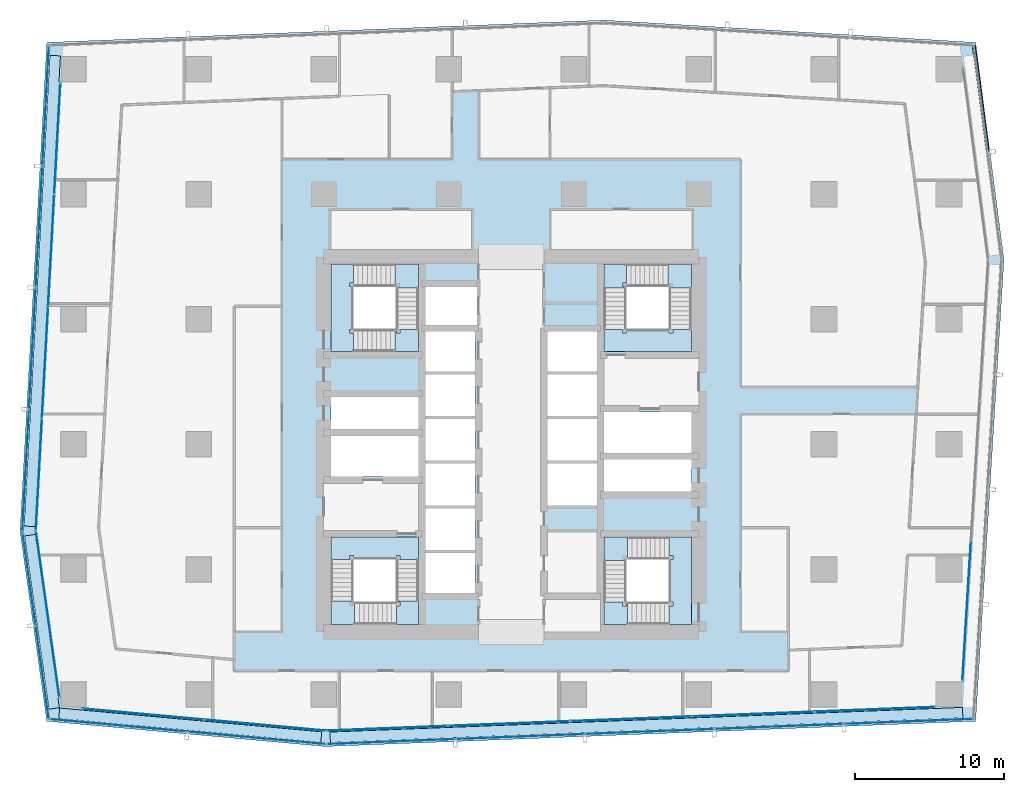
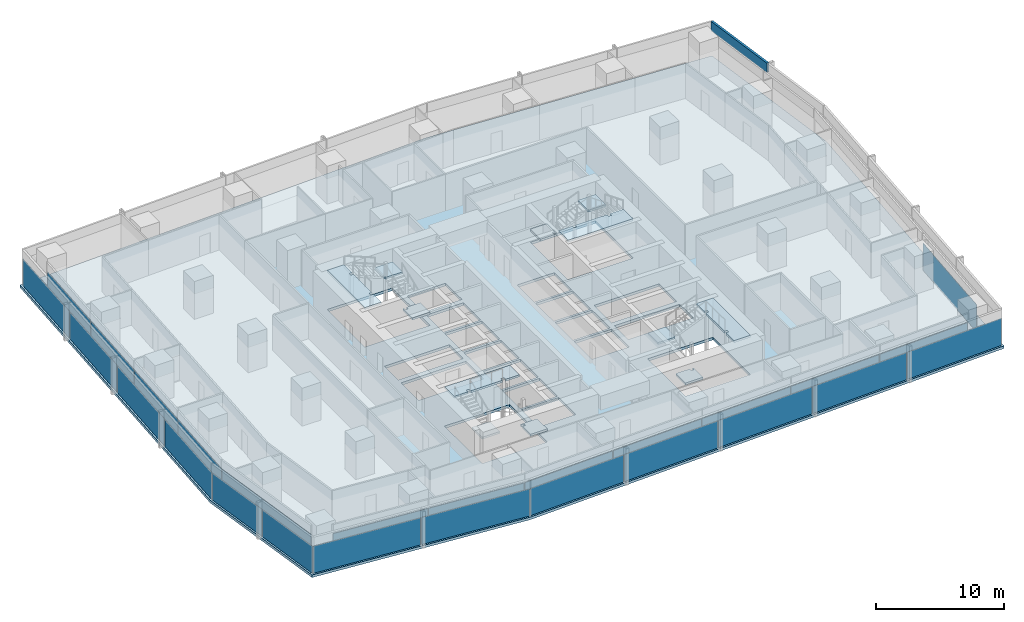
# One storey, part 27 of 40: 30 plates, 13 slabs, 1 member, 14 elements without a shape of their own.
"""IFC4 building model written with IfcOpenShell, lengths in metres."""

from ifc_helpers import new_model, si_unit, direction, frame, origin, origin_2d, place, context, subcontext, project, spatial, polyline, rectangle, hollow_rectangle, outline, extrude, material, layer, layer_set, material_profile, profile_set, type_object, element, aggregate, save


model = new_model("IFC4")

# Units and contexts
model_context = context("Model", 3, precision=1e-05, world=origin(), true_north=direction((0.0, 1.0)))
body_context = subcontext(model_context, "Body", "Model", "MODEL_VIEW")
ifc_project = project(units=[si_unit("LENGTHUNIT", "METRE"), si_unit("AREAUNIT", "SQUARE_METRE"), si_unit("VOLUMEUNIT", "CUBIC_METRE"), si_unit("PLANEANGLEUNIT", "RADIAN"), si_unit("MASSUNIT", "GRAM", prefix="KILO")], contexts=[model_context])

# Site, building, storey
site_placement = place(None, origin())
site = spatial("IfcSite", under=ifc_project, at=site_placement, CompositionType="ELEMENT")
building_placement = place(site_placement, origin())
building = spatial("IfcBuilding", under=site, at=building_placement, Name="Rekha Terrace Tower", CompositionType="ELEMENT")
storey_placement = place(building_placement, frame((0.0, 0.0, 121.550048828125)))
storey = spatial("IfcBuildingStorey", under=building, at=storey_placement, Name="L30", CompositionType="ELEMENT", Elevation=121.550048828125)

# Curtain wall, member
ifc_material_1 = material(Name="Aluminium framing", Category="aluminium")
curtain_wall_type_1 = type_object("IfcCurtainWallType", Name="CW2 double skin outer glazing", PredefinedType="USERDEFINED", material=ifc_material_1)
curtain_wall_1_placement = place(storey_placement, origin())
curtain_wall_1 = element("IfcCurtainWall", 1, at=curtain_wall_1_placement, inside=storey, type_object=curtain_wall_type_1, Name="CW2 double skin outer glazing", ObjectType="DOUBLE SKIN OUTER GLAZING", PredefinedType="USERDEFINED")
ifc_material_2 = material(Name="Insulated aluminium spandrel box", Category="aluminium")
ifc_material_profile = material_profile(ifc_material_2, hollow_rectangle(XDim=0.199951171875, YDim=0.89990234375, WallThickness=0.0029296875, at=origin_2d()), Name="AL SPANDREL BOX 200x900")
ifc_profile_set = profile_set([ifc_material_profile], Name="Insulated aluminium spandrel box")
member_type = type_object("IfcMemberType", Name="CW2 spandrel transom 200 x 900", PredefinedType="USERDEFINED", material=ifc_profile_set)
member_placement = place(storey_placement, frame((69.793701171875, 53.26513671875, 3.050048828125), z_axis=(-0.12912937971, 0.9916277544, 0.0), x_axis=(-0.9916277544, -0.12912937971, 0.0)))
member = element("IfcMember", 2, at=member_placement, type_object=member_type, Name="CW2 spandrel transom 2", ObjectType="TRANSOM", PredefinedType="USERDEFINED", context=body_context, shape_type="SweptSolid", body=[
    extrude(hollow_rectangle(XDim=0.199951171875, YDim=0.89990234375, WallThickness=0.0029296875, at=origin_2d()), origin(), (0.0, 0.0, 1.0), 7.163818359375),
])
aggregate(curtain_wall_1, [member])

# Curtain wall, plates
curtain_wall_type_2 = type_object("IfcCurtainWallType", Name="CW1 double skin inner glazing", PredefinedType="USERDEFINED", material=ifc_material_1)
curtain_wall_2_placement = place(storey_placement, origin())
curtain_wall_2 = element("IfcCurtainWall", 3, at=curtain_wall_2_placement, inside=storey, type_object=curtain_wall_type_2, Name="CW1 double skin inner glazing", ObjectType="DOUBLE SKIN INNER GLAZING", PredefinedType="USERDEFINED")
ifc_material_3 = material(Name="Double-glazed low-e unit 32", Category="glass")
ifc_layer_1 = layer(ifc_material_3, 0.031982421875)
ifc_layer_set_1 = layer_set([ifc_layer_1], Name="Double-glazed low-e unit 32")
plate_type_1 = type_object("IfcPlateType", Name="CW1 jumbo vision panel, double-glazed low-e unit 32", PredefinedType="CURTAIN_PANEL", material=ifc_layer_set_1)
plate_1_placement = place(storey_placement, frame((13.0439453125, 15.479248046875, 0.0), z_axis=(0.0, 0.0, 1.0), x_axis=(0.995901923142, -0.090439811381, 0.0)))
plate_1 = element("IfcPlate", 4, at=plate_1_placement, type_object=plate_type_1, Name="CW1 panel 1.1", PredefinedType="CURTAIN_PANEL", context=body_context, shape_type="SweptSolid", body=[
    extrude(rectangle(XDim=8.1494140625, YDim=0.031982421875, at=origin_2d()), origin(), (0.0, 0.0, 1.0), 2.60009765625),
])
plate_2_placement = place(storey_placement, frame((21.257080078125, 14.7333984375, 0.0), z_axis=(0.0, 0.0, 1.0), x_axis=(0.995901923142, -0.090439811381, 0.0)))
plate_2 = element("IfcPlate", 5, at=plate_2_placement, type_object=plate_type_1, Name="CW1 panel 2.1", PredefinedType="CURTAIN_PANEL", context=body_context, shape_type="SweptSolid", body=[
    extrude(rectangle(XDim=8.214599609375, YDim=0.031982421875, at=origin_2d()), origin(), (0.0, 0.0, 1.0), 2.60009765625),
])
aggregate(curtain_wall_2, [plate_1, plate_2])

curtain_wall_3_placement = place(storey_placement, origin())
curtain_wall_3 = element("IfcCurtainWall", 6, at=curtain_wall_3_placement, inside=storey, type_object=curtain_wall_type_2, Name="CW1 double skin inner glazing", ObjectType="DOUBLE SKIN INNER GLAZING", PredefinedType="USERDEFINED")
plate_3_placement = place(storey_placement, frame((29.4619140625, 14.52197265625, 0.0), z_axis=(0.0, 0.0, 1.0), x_axis=(0.999243498917, 0.038889971345, 0.0)))
plate_3 = element("IfcPlate", 7, at=plate_3_placement, type_object=plate_type_1, Name="CW1 panel 1.1", PredefinedType="CURTAIN_PANEL", context=body_context, shape_type="SweptSolid", body=[
    extrude(rectangle(XDim=8.105224609375, YDim=0.031982421875, at=origin_2d()), origin(), (0.0, 0.0, 1.0), 2.60009765625),
])
plate_4_placement = place(storey_placement, frame((37.64208984375, 14.84033203125, 0.0), z_axis=(0.0, 0.0, 1.0), x_axis=(0.999243498917, 0.038889971345, 0.0)))
plate_4 = element("IfcPlate", 8, at=plate_4_placement, type_object=plate_type_1, Name="CW1 panel 2.1", PredefinedType="CURTAIN_PANEL", context=body_context, shape_type="SweptSolid", body=[
    extrude(rectangle(XDim=8.1376953125, YDim=0.031982421875, at=origin_2d()), origin(), (0.0, 0.0, 1.0), 2.60009765625),
])
plate_5_placement = place(storey_placement, frame((45.838623046875, 15.159423828125, 0.0), z_axis=(0.0, 0.0, 1.0), x_axis=(0.999243498917, 0.038889971345, 0.0)))
plate_5 = element("IfcPlate", 9, at=plate_5_placement, type_object=plate_type_1, Name="CW1 panel 3.1", PredefinedType="CURTAIN_PANEL", context=body_context, shape_type="SweptSolid", body=[
    extrude(rectangle(XDim=8.1376953125, YDim=0.031982421875, at=origin_2d()), origin(), (0.0, 0.0, 1.0), 2.60009765625),
])
plate_6_placement = place(storey_placement, frame((54.034912109375, 15.478271484375, 0.0), z_axis=(0.0, 0.0, 1.0), x_axis=(0.999243498917, 0.038889971345, 0.0)))
plate_6 = element("IfcPlate", 10, at=plate_6_placement, type_object=plate_type_1, Name="CW1 panel 4.1", PredefinedType="CURTAIN_PANEL", context=body_context, shape_type="SweptSolid", body=[
    extrude(rectangle(XDim=8.1376953125, YDim=0.031982421875, at=origin_2d()), origin(), (0.0, 0.0, 1.0), 2.60009765625),
])
plate_7_placement = place(storey_placement, frame((62.21533203125, 15.796630859375, 0.0), z_axis=(0.0, 0.0, 1.0), x_axis=(0.999243498917, 0.038889971345, 0.0)))
plate_7 = element("IfcPlate", 11, at=plate_7_placement, type_object=plate_type_1, Name="CW1 panel 5.1", PredefinedType="CURTAIN_PANEL", context=body_context, shape_type="SweptSolid", body=[
    extrude(rectangle(XDim=8.105224609375, YDim=0.031982421875, at=origin_2d()), origin(), (0.0, 0.0, 1.0), 2.60009765625),
])
aggregate(curtain_wall_3, [plate_3, plate_4, plate_5, plate_6, plate_7])

# Curtain wall, plate
curtain_wall_4_placement = place(storey_placement, origin())
curtain_wall_4 = element("IfcCurtainWall", 12, at=curtain_wall_4_placement, inside=storey, type_object=curtain_wall_type_2, Name="CW1 double skin inner glazing", ObjectType="DOUBLE SKIN INNER GLAZING", PredefinedType="USERDEFINED")
plate_8_placement = place(storey_placement, frame((68.391357421875, 22.400634765625, 0.0), z_axis=(0.0, 0.0, 1.0), x_axis=(0.061159803131, 0.998127987024, 0.0)))
plate_8 = element("IfcPlate", 13, at=plate_8_placement, type_object=plate_type_1, Name="CW1 panel 1.1", PredefinedType="CURTAIN_PANEL", context=body_context, shape_type="SweptSolid", body=[
    extrude(rectangle(XDim=9.355224609375, YDim=0.031982421875, at=origin_2d()), origin(), (0.0, 0.0, 1.0), 2.60009765625),
])
aggregate(curtain_wall_4, [plate_8])

# Curtain wall, plates
curtain_wall_5_placement = place(storey_placement, origin())
curtain_wall_5 = element("IfcCurtainWall", 14, at=curtain_wall_5_placement, inside=storey, type_object=curtain_wall_type_2, Name="CW1 double skin inner glazing", ObjectType="DOUBLE SKIN INNER GLAZING", PredefinedType="USERDEFINED")
plate_9_placement = place(storey_placement, frame((7.30810546875, 54.15087890625, 0.0), z_axis=(0.0, 0.0, 1.0), x_axis=(-0.054742352707, -0.99850051318, 0.0)))
plate_9 = element("IfcPlate", 15, at=plate_9_placement, type_object=plate_type_1, Name="CW1 panel 1.1", PredefinedType="CURTAIN_PANEL", context=body_context, shape_type="SweptSolid", body=[
    extrude(rectangle(XDim=7.443359375, YDim=0.031982421875, at=origin_2d()), origin(), (0.0, 0.0, 1.0), 2.60009765625),
])
plate_10_placement = place(storey_placement, frame((6.89599609375, 46.637451171875, 0.0), z_axis=(0.0, 0.0, 1.0), x_axis=(-0.054742352707, -0.99850051318, 0.0)))
plate_10 = element("IfcPlate", 16, at=plate_10_placement, type_object=plate_type_1, Name="CW1 panel 2.1", PredefinedType="CURTAIN_PANEL", context=body_context, shape_type="SweptSolid", body=[
    extrude(rectangle(XDim=7.475830078125, YDim=0.031982421875, at=origin_2d()), origin(), (0.0, 0.0, 1.0), 2.60009765625),
])
plate_11_placement = place(storey_placement, frame((6.4833984375, 39.10791015625, 0.0), z_axis=(0.0, 0.0, 1.0), x_axis=(-0.054742352707, -0.99850051318, 0.0)))
plate_11 = element("IfcPlate", 17, at=plate_11_placement, type_object=plate_type_1, Name="CW1 panel 3.1", PredefinedType="CURTAIN_PANEL", context=body_context, shape_type="SweptSolid", body=[
    extrude(rectangle(XDim=7.475830078125, YDim=0.031982421875, at=origin_2d()), origin(), (0.0, 0.0, 1.0), 2.60009765625),
])
plate_12_placement = place(storey_placement, frame((6.069580078125, 31.56201171875, 0.0), z_axis=(0.0, 0.0, 1.0), x_axis=(-0.054742352707, -0.99850051318, 0.0)))
plate_12 = element("IfcPlate", 18, at=plate_12_placement, type_object=plate_type_1, Name="CW1 panel 4.1", PredefinedType="CURTAIN_PANEL", context=body_context, shape_type="SweptSolid", body=[
    extrude(rectangle(XDim=7.508544921875, YDim=0.031982421875, at=origin_2d()), origin(), (0.0, 0.0, 1.0), 2.60009765625),
])
aggregate(curtain_wall_5, [plate_9, plate_10, plate_11, plate_12])

# Curtain wall, plate
curtain_wall_6_placement = place(storey_placement, origin())
curtain_wall_6 = element("IfcCurtainWall", 19, at=curtain_wall_6_placement, inside=storey, type_object=curtain_wall_type_2, Name="CW1 double skin inner glazing", ObjectType="DOUBLE SKIN INNER GLAZING", PredefinedType="USERDEFINED")
plate_13_placement = place(storey_placement, frame((6.65869140625, 22.177490234375, 0.0), z_axis=(0.0, 0.0, 1.0), x_axis=(0.139597048082, -0.990208394312, 0.0)))
plate_13 = element("IfcPlate", 20, at=plate_13_placement, type_object=plate_type_1, Name="CW1 panel 1.1", PredefinedType="CURTAIN_PANEL", context=body_context, shape_type="SweptSolid", body=[
    extrude(rectangle(XDim=11.253173828125, YDim=0.031982421875, at=origin_2d()), origin(), (0.0, 0.0, 1.0), 2.60009765625),
])
aggregate(curtain_wall_6, [plate_13])

# Curtain wall, plates
curtain_wall_7_placement = place(storey_placement, origin())
curtain_wall_7 = element("IfcCurtainWall", 21, at=curtain_wall_7_placement, inside=storey, type_object=curtain_wall_type_1, Name="CW2 double skin outer glazing", ObjectType="DOUBLE SKIN OUTER GLAZING", PredefinedType="USERDEFINED")
ifc_material_4 = material(Name="Toughened single glazing 12", Category="glass")
ifc_layer_2 = layer(ifc_material_4, 0.011962890625)
ifc_layer_set_2 = layer_set([ifc_layer_2], Name="Toughened single glazing 12")
plate_type_2 = type_object("IfcPlateType", Name="CW2 jumbo vision panel, toughened single glazing 12", PredefinedType="CURTAIN_PANEL", material=ifc_layer_set_2)
plate_14_placement = place(storey_placement, frame((11.406494140625, 14.72412109375, 0.0), z_axis=(0.0, 0.0, 1.0), x_axis=(0.995901923137, -0.090439811433, 0.0)))
plate_14 = element("IfcPlate", 22, at=plate_14_placement, type_object=plate_type_2, Name="CW2 panel 1.1", PredefinedType="CURTAIN_PANEL", context=body_context, shape_type="SweptSolid", body=[
    extrude(rectangle(XDim=9.2099609375, YDim=0.011962890625, at=origin_2d()), origin(), (0.0, 0.0, 1.0), 2.60009765625),
])
plate_15_placement = place(storey_placement, frame((20.6982421875, 13.88037109375, 0.0), z_axis=(0.0, 0.0, 1.0), x_axis=(0.995901923137, -0.090439811433, 0.0)))
plate_15 = element("IfcPlate", 23, at=plate_15_placement, type_object=plate_type_2, Name="CW2 panel 2.1", PredefinedType="CURTAIN_PANEL", context=body_context, shape_type="SweptSolid", body=[
    extrude(rectangle(XDim=9.2900390625, YDim=0.011962890625, at=origin_2d()), origin(), (0.0, 0.0, 1.0), 2.60009765625),
])
aggregate(curtain_wall_7, [plate_14, plate_15])

curtain_wall_8_placement = place(storey_placement, origin())
curtain_wall_8 = element("IfcCurtainWall", 24, at=curtain_wall_8_placement, inside=storey, type_object=curtain_wall_type_1, Name="CW2 double skin outer glazing", ObjectType="DOUBLE SKIN OUTER GLAZING", PredefinedType="USERDEFINED")
plate_16_placement = place(storey_placement, frame((29.696533203125, 13.63037109375, 0.0), z_axis=(0.0, 0.0, 1.0), x_axis=(0.999243498917, 0.038889971345, 0.0)))
plate_16 = element("IfcPlate", 25, at=plate_16_placement, type_object=plate_type_2, Name="CW2 panel 1.1", PredefinedType="CURTAIN_PANEL", context=body_context, shape_type="SweptSolid", body=[
    extrude(rectangle(XDim=8.591552734375, YDim=0.011962890625, at=origin_2d()), origin(), (0.0, 0.0, 1.0), 2.60009765625),
])
plate_17_placement = place(storey_placement, frame((38.381591796875, 13.968505859375, 0.0), z_axis=(0.0, 0.0, 1.0), x_axis=(0.999243498917, 0.038889971345, 0.0)))
plate_17 = element("IfcPlate", 26, at=plate_17_placement, type_object=plate_type_2, Name="CW2 panel 2.1", PredefinedType="CURTAIN_PANEL", context=body_context, shape_type="SweptSolid", body=[
    extrude(rectangle(XDim=8.631591796875, YDim=0.011962890625, at=origin_2d()), origin(), (0.0, 0.0, 1.0), 2.60009765625),
])
plate_18_placement = place(storey_placement, frame((47.086669921875, 14.307373046875, 0.0), z_axis=(0.0, 0.0, 1.0), x_axis=(0.999243498917, 0.038889971345, 0.0)))
plate_18 = element("IfcPlate", 27, at=plate_18_placement, type_object=plate_type_2, Name="CW2 panel 3.1", PredefinedType="CURTAIN_PANEL", context=body_context, shape_type="SweptSolid", body=[
    extrude(rectangle(XDim=8.631591796875, YDim=0.011962890625, at=origin_2d()), origin(), (0.0, 0.0, 1.0), 2.60009765625),
])
plate_19_placement = place(storey_placement, frame((55.791748046875, 14.64599609375, 0.0), z_axis=(0.0, 0.0, 1.0), x_axis=(0.999243498917, 0.038889971345, 0.0)))
plate_19 = element("IfcPlate", 28, at=plate_19_placement, type_object=plate_type_2, Name="CW2 panel 4.1", PredefinedType="CURTAIN_PANEL", context=body_context, shape_type="SweptSolid", body=[
    extrude(rectangle(XDim=8.631591796875, YDim=0.011962890625, at=origin_2d()), origin(), (0.0, 0.0, 1.0), 2.60009765625),
])
plate_20_placement = place(storey_placement, frame((64.5166015625, 14.985595703125, 0.0), z_axis=(0.0, 0.0, 1.0), x_axis=(0.999243498917, 0.038889971345, 0.0)))
plate_20 = element("IfcPlate", 29, at=plate_20_placement, type_object=plate_type_2, Name="CW2 panel 5.1", PredefinedType="CURTAIN_PANEL", context=body_context, shape_type="SweptSolid", body=[
    extrude(rectangle(XDim=8.671630859375, YDim=0.011962890625, at=origin_2d()), origin(), (0.0, 0.0, 1.0), 2.60009765625),
])
aggregate(curtain_wall_8, [plate_16, plate_17, plate_18, plate_19, plate_20])

curtain_wall_9_placement = place(storey_placement, origin())
curtain_wall_9 = element("IfcCurtainWall", 30, at=curtain_wall_9_placement, inside=storey, type_object=curtain_wall_type_1, Name="CW2 double skin outer glazing", ObjectType="DOUBLE SKIN OUTER GLAZING", PredefinedType="USERDEFINED")
plate_21_placement = place(storey_placement, frame((6.52685546875, 56.342041015625, 0.0), z_axis=(0.0, 0.0, 1.0), x_axis=(-0.054742352707, -0.99850051318, 0.0)))
plate_21 = element("IfcPlate", 31, at=plate_21_placement, type_object=plate_type_2, Name="CW2 panel 1.1", PredefinedType="CURTAIN_PANEL", context=body_context, shape_type="SweptSolid", body=[
    extrude(rectangle(XDim=8.06005859375, YDim=0.011962890625, at=origin_2d()), origin(), (0.0, 0.0, 1.0), 2.60009765625),
])
plate_22_placement = place(storey_placement, frame((6.080078125, 48.1943359375, 0.0), z_axis=(0.0, 0.0, 1.0), x_axis=(-0.054742352707, -0.99850051318, 0.0)))
plate_22 = element("IfcPlate", 32, at=plate_22_placement, type_object=plate_type_2, Name="CW2 panel 2.1", PredefinedType="CURTAIN_PANEL", context=body_context, shape_type="SweptSolid", body=[
    extrude(rectangle(XDim=8.10009765625, YDim=0.011962890625, at=origin_2d()), origin(), (0.0, 0.0, 1.0), 2.60009765625),
])
plate_23_placement = place(storey_placement, frame((5.63232421875, 40.026611328125, 0.0), z_axis=(0.0, 0.0, 1.0), x_axis=(-0.054742352707, -0.99850051318, 0.0)))
plate_23 = element("IfcPlate", 33, at=plate_23_placement, type_object=plate_type_2, Name="CW2 panel 3.1", PredefinedType="CURTAIN_PANEL", context=body_context, shape_type="SweptSolid", body=[
    extrude(rectangle(XDim=8.10009765625, YDim=0.011962890625, at=origin_2d()), origin(), (0.0, 0.0, 1.0), 2.60009765625),
])
plate_24_placement = place(storey_placement, frame((5.183349609375, 31.8388671875, 0.0), z_axis=(0.0, 0.0, 1.0), x_axis=(-0.054742352707, -0.99850051318, 0.0)))
plate_24 = element("IfcPlate", 34, at=plate_24_placement, type_object=plate_type_2, Name="CW2 panel 4.1", PredefinedType="CURTAIN_PANEL", context=body_context, shape_type="SweptSolid", body=[
    extrude(rectangle(XDim=8.14013671875, YDim=0.011962890625, at=origin_2d()), origin(), (0.0, 0.0, 1.0), 2.60009765625),
])
aggregate(curtain_wall_9, [plate_21, plate_22, plate_23, plate_24])

curtain_wall_10_placement = place(storey_placement, origin())
curtain_wall_10 = element("IfcCurtainWall", 35, at=curtain_wall_10_placement, inside=storey, type_object=curtain_wall_type_1, Name="CW2 double skin outer glazing", ObjectType="DOUBLE SKIN OUTER GLAZING", PredefinedType="USERDEFINED")
plate_25_placement = place(storey_placement, frame((5.408447265625, 24.598388671875, 0.0), z_axis=(0.0, 0.0, 1.0), x_axis=(0.139597048082, -0.990208394312, 0.0)))
plate_25 = element("IfcPlate", 36, at=plate_25_placement, type_object=plate_type_2, Name="CW2 panel 1.1", PredefinedType="CURTAIN_PANEL", context=body_context, shape_type="SweptSolid", body=[
    extrude(rectangle(XDim=6.255859375, YDim=0.011962890625, at=origin_2d()), origin(), (0.0, 0.0, 1.0), 2.60009765625),
])
plate_26_placement = place(storey_placement, frame((6.298583984375, 18.284912109375, 0.0), z_axis=(0.0, 0.0, 1.0), x_axis=(0.139597048082, -0.990208394312, 0.0)))
plate_26 = element("IfcPlate", 37, at=plate_26_placement, type_object=plate_type_2, Name="CW2 panel 2.1", PredefinedType="CURTAIN_PANEL", context=body_context, shape_type="SweptSolid", body=[
    extrude(rectangle(XDim=6.3359375, YDim=0.011962890625, at=origin_2d()), origin(), (0.0, 0.0, 1.0), 2.60009765625),
])
aggregate(curtain_wall_10, [plate_25, plate_26])

# Plates
ifc_material_5 = material(Name="Galvanised steel open grating", Category="steel")
ifc_layer_3 = layer(ifc_material_5, 0.050048828125)
ifc_layer_set_3 = layer_set([ifc_layer_3], Name="Galvanised steel open grating")
plate_type_3 = type_object("IfcPlateType", Name="GT1 cavity walkway grating 50", PredefinedType="USERDEFINED", material=ifc_layer_set_3)
plate_27_placement = place(storey_placement, frame((16.236083984375, 14.737548828125, 0.0), z_axis=(0.0, 0.0, 1.0), x_axis=(0.99590192314, -0.090439811399, 0.0)))
element("IfcPlate", 38, at=plate_27_placement, inside=storey, type_object=plate_type_3, Name="Cavity walkway grating", ObjectType="CAVITY WALKWAY GRATING", PredefinedType="USERDEFINED", context=body_context, shape_type="SweptSolid", body=[
    extrude(rectangle(XDim=17.674072265625, YDim=0.705078125, at=origin_2d()), origin(), (0.0, 0.0, 1.0), 0.050048828125),
])
plate_28_placement = place(storey_placement, frame((46.88037109375, 14.74951171875, 0.0), z_axis=(0.0, 0.0, 1.0), x_axis=(0.999243498917, 0.038889971345, 0.0)))
element("IfcPlate", 39, at=plate_28_placement, inside=storey, type_object=plate_type_3, Name="Cavity walkway grating", ObjectType="CAVITY WALKWAY GRATING", PredefinedType="USERDEFINED", context=body_context, shape_type="SweptSolid", body=[
    extrude(rectangle(XDim=42.521728515625, YDim=0.705078125, at=origin_2d()), origin(), (0.0, 0.0, 1.0), 0.050048828125),
])
plate_29_placement = place(storey_placement, frame((6.295654296875, 43.9033203125, 0.0), z_axis=(0.0, 0.0, 1.0), x_axis=(-0.05474235269, -0.998500513181, 0.0)))
element("IfcPlate", 40, at=plate_29_placement, inside=storey, type_object=plate_type_3, Name="Cavity walkway grating", ObjectType="CAVITY WALKWAY GRATING", PredefinedType="USERDEFINED", context=body_context, shape_type="SweptSolid", body=[
    extrude(rectangle(XDim=31.6669921875, YDim=0.705078125, at=origin_2d()), origin(), (0.0, 0.0, 1.0), 0.050048828125),
])
plate_30_placement = place(storey_placement, frame((6.2744140625, 21.678955078125, 0.0), z_axis=(0.0, 0.0, 1.0), x_axis=(0.139597048064, -0.990208394315, 0.0)))
element("IfcPlate", 41, at=plate_30_placement, inside=storey, type_object=plate_type_3, Name="Cavity walkway grating", ObjectType="CAVITY WALKWAY GRATING", PredefinedType="USERDEFINED", context=body_context, shape_type="SweptSolid", body=[
    extrude(rectangle(XDim=11.751220703125, YDim=0.705078125, at=origin_2d()), origin(), (0.0, 0.0, 1.0), 0.050048828125),
])

# Stair, slabs
ifc_material_6 = material(Name="Concrete M40", Category="concrete")
stair_type = type_object("IfcStairType", Name="ST30 stair, 30 risers of 125, going 310, 1500 wide flights, 3 flights", PredefinedType="HALF_TURN_STAIR", material=ifc_material_6)
stair_1_placement = place(storey_placement, origin())
stair_1 = element("IfcStair", 42, at=stair_1_placement, inside=storey, type_object=stair_type, Name="Stair ST1 L30 to L31", PredefinedType="HALF_TURN_STAIR")
ifc_layer_4 = layer(ifc_material_6, 0.199951171875)
ifc_layer_set_4 = layer_set([ifc_layer_4], Name="Concrete M40")
slab_type_1 = type_object("IfcSlabType", Name="LD1 200 concrete stair landing", PredefinedType="LANDING", material=ifc_layer_set_4)
slab_1_placement = place(storey_placement, frame((0.0, 0.0, 1.050048828125)))
slab_1 = element("IfcSlab", 43, at=slab_1_placement, type_object=slab_type_1, Name="ST1 landing 1", PredefinedType="LANDING", context=body_context, shape_type="SweptSolid", body=[
    extrude(outline(polyline([(30.074951171875, 21.5), (31.574951171875, 21.5), (31.574951171875, 23.0849609375), (30.074951171875, 23.0849609375), (30.074951171875, 23.0), (30.324951171875, 23.0), (30.324951171875, 22.75), (30.074951171875, 22.75), (30.074951171875, 21.5)])), origin(), (0.0, 0.0, 1.0), 0.199951171875),
])
slab_2_placement = place(storey_placement, frame((0.0, 0.0, 2.300048828125)))
slab_2 = element("IfcSlab", 44, at=slab_2_placement, type_object=slab_type_1, Name="ST1 landing 2", PredefinedType="LANDING", context=body_context, shape_type="SweptSolid", body=[
    extrude(outline(polyline([(27.199951171875, 23.0849609375), (25.699951171875, 23.0849609375), (25.699951171875, 21.5), (27.284912109375, 21.5), (27.284912109375, 23.0), (27.199951171875, 23.0), (27.199951171875, 23.0849609375)])), origin(), (0.0, 0.0, 1.0), 0.199951171875),
])
slab_3_placement = place(storey_placement, frame((0.0, 0.0, 3.550048828125)))
slab_3 = element("IfcSlab", 45, at=slab_3_placement, type_object=slab_type_1, Name="ST1 landing 3", PredefinedType="LANDING", context=body_context, shape_type="SweptSolid", body=[
    extrude(outline(polyline([(31.574951171875, 25.875), (31.574951171875, 27.375), (25.699951171875, 27.375), (25.699951171875, 25.875), (26.949951171875, 25.875), (26.949951171875, 26.125), (27.199951171875, 26.125), (27.199951171875, 25.875), (30.074951171875, 25.875), (30.074951171875, 26.125), (30.324951171875, 26.125), (30.324951171875, 25.875), (31.574951171875, 25.875)])), origin(), (0.0, 0.0, 1.0), 0.199951171875),
])
aggregate(stair_1, [slab_1, slab_2, slab_3])

stair_2_placement = place(storey_placement, origin())
stair_2 = element("IfcStair", 46, at=stair_2_placement, inside=storey, type_object=stair_type, Name="Stair ST2 L30 to L31", PredefinedType="HALF_TURN_STAIR")
slab_4_placement = place(storey_placement, frame((0.0, 0.0, 1.050048828125)))
slab_4 = element("IfcSlab", 47, at=slab_4_placement, type_object=slab_type_1, Name="ST2 landing 1", PredefinedType="LANDING", context=body_context, shape_type="SweptSolid", body=[
    extrude(outline(polyline([(45.52490234375, 45.699951171875), (44.02490234375, 45.699951171875), (44.02490234375, 44.114990234375), (45.52490234375, 44.114990234375), (45.52490234375, 44.199951171875), (45.27490234375, 44.199951171875), (45.27490234375, 44.449951171875), (45.52490234375, 44.449951171875), (45.52490234375, 45.699951171875)])), origin(), (0.0, 0.0, 1.0), 0.199951171875),
])
slab_5_placement = place(storey_placement, frame((0.0, 0.0, 2.300048828125)))
slab_5 = element("IfcSlab", 48, at=slab_5_placement, type_object=slab_type_1, Name="ST2 landing 2", PredefinedType="LANDING", context=body_context, shape_type="SweptSolid", body=[
    extrude(outline(polyline([(48.39990234375, 44.114990234375), (49.89990234375, 44.114990234375), (49.89990234375, 45.699951171875), (48.31494140625, 45.699951171875), (48.31494140625, 44.199951171875), (48.39990234375, 44.199951171875), (48.39990234375, 44.114990234375)])), origin(), (0.0, 0.0, 1.0), 0.199951171875),
])
slab_6_placement = place(storey_placement, frame((0.0, 0.0, 3.550048828125)))
slab_6 = element("IfcSlab", 49, at=slab_6_placement, type_object=slab_type_1, Name="ST2 landing 3", PredefinedType="LANDING", context=body_context, shape_type="SweptSolid", body=[
    extrude(outline(polyline([(44.02490234375, 41.324951171875), (44.02490234375, 39.824951171875), (49.89990234375, 39.824951171875), (49.89990234375, 41.324951171875), (48.64990234375, 41.324951171875), (48.64990234375, 41.074951171875), (48.39990234375, 41.074951171875), (48.39990234375, 41.324951171875), (45.52490234375, 41.324951171875), (45.52490234375, 41.074951171875), (45.27490234375, 41.074951171875), (45.27490234375, 41.324951171875), (44.02490234375, 41.324951171875)])), origin(), (0.0, 0.0, 1.0), 0.199951171875),
])
aggregate(stair_2, [slab_4, slab_5, slab_6])

stair_3_placement = place(storey_placement, origin())
stair_3 = element("IfcStair", 50, at=stair_3_placement, inside=storey, type_object=stair_type, Name="Stair ST3 L30 to L31", PredefinedType="HALF_TURN_STAIR")
slab_7_placement = place(storey_placement, frame((0.0, 0.0, 1.050048828125)))
slab_7 = element("IfcSlab", 51, at=slab_7_placement, type_object=slab_type_1, Name="ST3 landing 1", PredefinedType="LANDING", context=body_context, shape_type="SweptSolid", body=[
    extrude(outline(polyline([(44.02490234375, 23.0), (44.02490234375, 21.5), (45.610107421875, 21.5), (45.610107421875, 23.0), (45.52490234375, 23.0), (45.52490234375, 22.75), (45.27490234375, 22.75), (45.27490234375, 23.0), (44.02490234375, 23.0)])), origin(), (0.0, 0.0, 1.0), 0.199951171875),
])
slab_8_placement = place(storey_placement, frame((0.0, 0.0, 2.300048828125)))
slab_8 = element("IfcSlab", 52, at=slab_8_placement, type_object=slab_type_1, Name="ST3 landing 2", PredefinedType="LANDING", context=body_context, shape_type="SweptSolid", body=[
    extrude(outline(polyline([(45.610107421875, 25.875), (45.610107421875, 27.375), (44.02490234375, 27.375), (44.02490234375, 25.7900390625), (45.52490234375, 25.7900390625), (45.52490234375, 25.875), (45.610107421875, 25.875)])), origin(), (0.0, 0.0, 1.0), 0.199951171875),
])
slab_9_placement = place(storey_placement, frame((0.0, 0.0, 3.550048828125)))
slab_9 = element("IfcSlab", 53, at=slab_9_placement, type_object=slab_type_1, Name="ST3 landing 3", PredefinedType="LANDING", context=body_context, shape_type="SweptSolid", body=[
    extrude(outline(polyline([(48.39990234375, 21.5), (49.89990234375, 21.5), (49.89990234375, 27.375), (48.39990234375, 27.375), (48.39990234375, 26.125), (48.64990234375, 26.125), (48.64990234375, 25.875), (48.39990234375, 25.875), (48.39990234375, 23.0), (48.64990234375, 23.0), (48.64990234375, 22.75), (48.39990234375, 22.75), (48.39990234375, 21.5)])), origin(), (0.0, 0.0, 1.0), 0.199951171875),
])
aggregate(stair_3, [slab_7, slab_8, slab_9])

stair_4_placement = place(storey_placement, origin())
stair_4 = element("IfcStair", 54, at=stair_4_placement, inside=storey, type_object=stair_type, Name="Stair ST4 L30 to L31", PredefinedType="HALF_TURN_STAIR")
slab_10_placement = place(storey_placement, frame((0.0, 0.0, 1.050048828125)))
slab_10 = element("IfcSlab", 55, at=slab_10_placement, type_object=slab_type_1, Name="ST4 landing 1", PredefinedType="LANDING", context=body_context, shape_type="SweptSolid", body=[
    extrude(outline(polyline([(31.574951171875, 41.324951171875), (31.574951171875, 39.824951171875), (29.989990234375, 39.824951171875), (29.989990234375, 41.324951171875), (30.074951171875, 41.324951171875), (30.074951171875, 41.074951171875), (30.324951171875, 41.074951171875), (30.324951171875, 41.324951171875), (31.574951171875, 41.324951171875)])), origin(), (0.0, 0.0, 1.0), 0.199951171875),
])
slab_11_placement = place(storey_placement, frame((0.0, 0.0, 2.300048828125)))
slab_11 = element("IfcSlab", 56, at=slab_11_placement, type_object=slab_type_1, Name="ST4 landing 2", PredefinedType="LANDING", context=body_context, shape_type="SweptSolid", body=[
    extrude(outline(polyline([(29.989990234375, 44.199951171875), (29.989990234375, 45.699951171875), (31.574951171875, 45.699951171875), (31.574951171875, 44.114990234375), (30.074951171875, 44.114990234375), (30.074951171875, 44.199951171875), (29.989990234375, 44.199951171875)])), origin(), (0.0, 0.0, 1.0), 0.199951171875),
])
slab_12_placement = place(storey_placement, frame((0.0, 0.0, 3.550048828125)))
slab_12 = element("IfcSlab", 57, at=slab_12_placement, type_object=slab_type_1, Name="ST4 landing 3", PredefinedType="LANDING", context=body_context, shape_type="SweptSolid", body=[
    extrude(outline(polyline([(27.199951171875, 39.824951171875), (25.699951171875, 39.824951171875), (25.699951171875, 45.699951171875), (27.199951171875, 45.699951171875), (27.199951171875, 44.449951171875), (26.949951171875, 44.449951171875), (26.949951171875, 44.199951171875), (27.199951171875, 44.199951171875), (27.199951171875, 41.324951171875), (26.949951171875, 41.324951171875), (26.949951171875, 41.074951171875), (27.199951171875, 41.074951171875), (27.199951171875, 39.824951171875)])), origin(), (0.0, 0.0, 1.0), 0.199951171875),
])
aggregate(stair_4, [slab_10, slab_11, slab_12])

# Slab
ifc_material_7 = material(Name="Concrete M50", Category="concrete")
ifc_layer_5 = layer(ifc_material_7, 0.25)
ifc_layer_set_5 = layer_set([ifc_layer_5], Name="Concrete M50")
slab_type_2 = type_object("IfcSlabType", Name="SL4 250 post-tensioned flat plate", PredefinedType="FLOOR", material=ifc_layer_set_5)
slab_13_placement = place(storey_placement, frame((0.0, 0.0, -0.25)))
element("IfcSlab", 58, at=slab_13_placement, inside=storey, type_object=slab_type_2, Name="Post-tensioned flat plate L30", PredefinedType="FLOOR", context=body_context, shape_type="SweptSolid", body=[
    extrude(outline(polyline([(4.800048828125, 27.76806640625), (6.60009765625, 15.0), (25.320068359375, 13.300048828125), (69.0, 15.0), (70.89990234375, 46.008056640625), (69.0, 60.60009765625), (44.0400390625, 62.10009765625), (6.60009765625, 60.60009765625), (4.800048828125, 27.76806640625)]), holes=[polyline([(31.574951171875, 27.375), (31.574951171875, 21.5), (25.699951171875, 21.5), (25.699951171875, 27.375), (31.574951171875, 27.375)]), polyline([(35.375, 26.300048828125), (35.375, 23.625), (32.02490234375, 23.625), (32.02490234375, 26.300048828125), (35.375, 26.300048828125)]), polyline([(35.375, 29.300048828125), (35.375, 26.5), (32.02490234375, 26.5), (32.02490234375, 29.300048828125), (35.375, 29.300048828125)]), polyline([(35.375, 32.300048828125), (35.375, 29.5), (32.02490234375, 29.5), (32.02490234375, 32.300048828125), (35.375, 32.300048828125)]), polyline([(31.574951171875, 34.175048828125), (31.574951171875, 31.425048828125), (25.699951171875, 31.425048828125), (25.699951171875, 34.175048828125), (31.574951171875, 34.175048828125)]), polyline([(35.375, 35.300048828125), (35.375, 32.5), (32.02490234375, 32.5), (32.02490234375, 35.300048828125), (35.375, 35.300048828125)]), polyline([(31.574951171875, 36.77490234375), (31.574951171875, 34.625), (25.699951171875, 34.625), (25.699951171875, 36.77490234375), (31.574951171875, 36.77490234375)]), polyline([(35.375, 35.5), (32.02490234375, 35.5), (32.02490234375, 38.300048828125), (35.375, 38.300048828125), (35.375, 35.5)]), polyline([(35.375, 38.5), (32.02490234375, 38.5), (32.02490234375, 41.175048828125), (35.375, 41.175048828125), (35.375, 38.5)]), polyline([(31.574951171875, 45.699951171875), (31.574951171875, 39.824951171875), (25.699951171875, 39.824951171875), (25.699951171875, 45.699951171875), (31.574951171875, 45.699951171875)]), polyline([(49.89990234375, 27.375), (49.89990234375, 21.5), (44.02490234375, 21.5), (44.02490234375, 27.375), (49.89990234375, 27.375)]), polyline([(43.574951171875, 32.300048828125), (43.574951171875, 29.5), (40.22509765625, 29.5), (40.22509765625, 32.300048828125), (43.574951171875, 32.300048828125)]), polyline([(49.89990234375, 30.425048828125), (44.02490234375, 30.425048828125), (44.02490234375, 32.574951171875), (49.89990234375, 32.574951171875), (49.89990234375, 30.425048828125)]), polyline([(43.574951171875, 32.5), (40.22509765625, 32.5), (40.22509765625, 35.300048828125), (43.574951171875, 35.300048828125), (43.574951171875, 32.5)]), polyline([(49.89990234375, 35.77490234375), (49.89990234375, 33.02490234375), (44.02490234375, 33.02490234375), (44.02490234375, 35.77490234375), (49.89990234375, 35.77490234375)]), polyline([(43.574951171875, 38.300048828125), (43.574951171875, 35.5), (40.22509765625, 35.5), (40.22509765625, 38.300048828125), (43.574951171875, 38.300048828125)]), polyline([(43.574951171875, 41.175048828125), (43.574951171875, 38.5), (40.22509765625, 38.5), (40.22509765625, 41.175048828125), (43.574951171875, 41.175048828125)]), polyline([(49.89990234375, 39.824951171875), (44.02490234375, 39.824951171875), (44.02490234375, 45.699951171875), (49.89990234375, 45.699951171875), (49.89990234375, 39.824951171875)]), polyline([(35.5, 41.625), (32.02490234375, 41.625), (32.02490234375, 44.175048828125), (35.5, 44.175048828125), (35.5, 41.625)])]), origin(), (0.0, 0.0, 1.0), 0.25),
])

save(model, "model.ifc")
